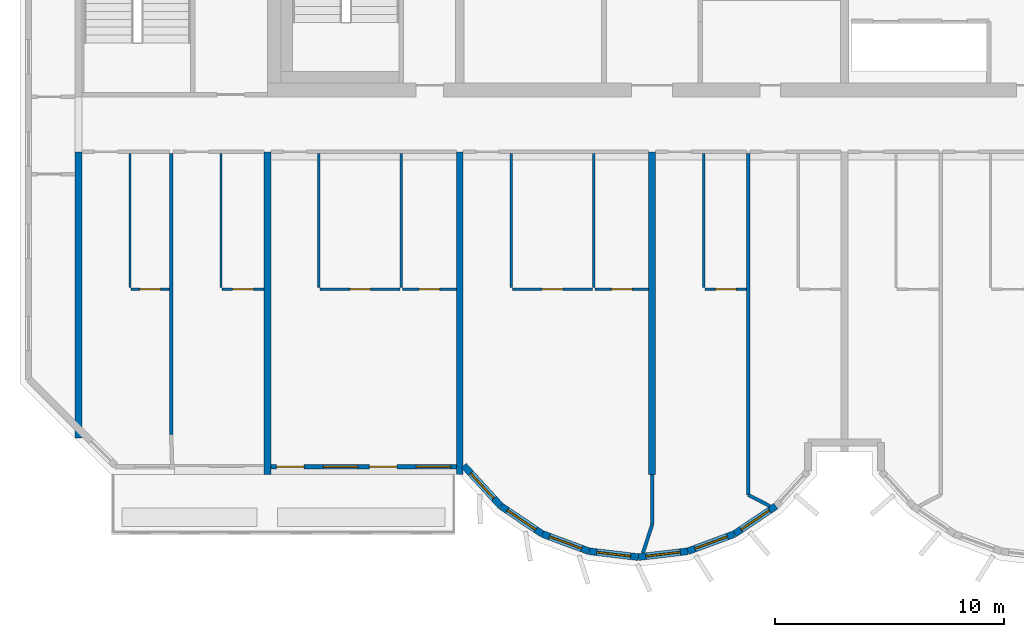
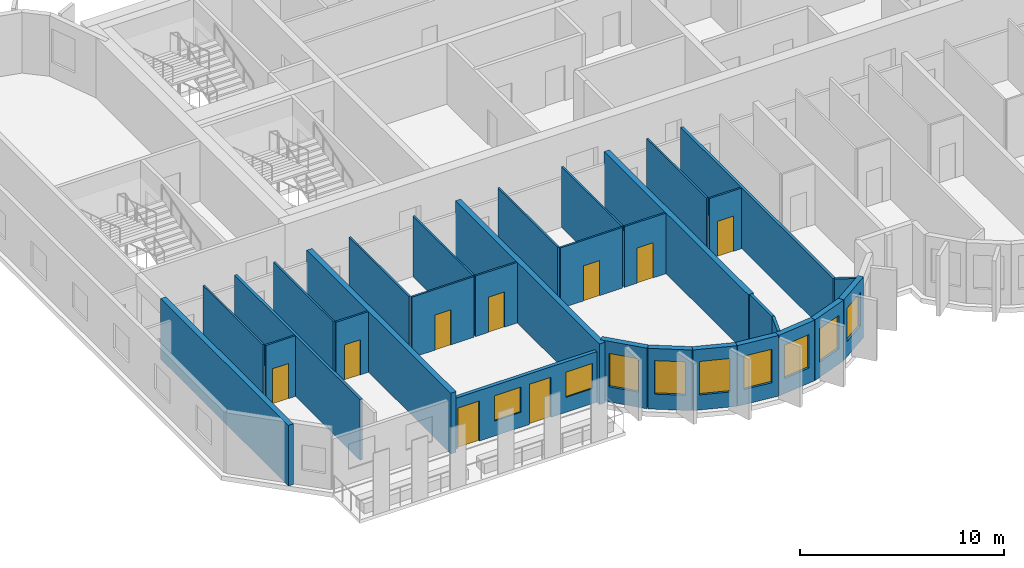
# One storey, part 2 of 11: 31 walls, 9 doors, 9 windows, 18 openings.
"""IFC4 building model written with IfcOpenShell, lengths in metres."""

from ifc_helpers import new_model, si_unit, direction, frame, frame_2d, origin, place, context, subcontext, project, spatial, rectangle, extrude, source, transform, mapped, material, layer, layer_set, type_object, element, fill, save


model = new_model("IFC4")

# Units and contexts
model_context = context("Model", 3, precision=1e-05, world=origin(), true_north=direction((0.0, 1.0)))
body_context = subcontext(model_context, "Body", "Model", "MODEL_VIEW")
ifc_project = project(units=[si_unit("LENGTHUNIT", "METRE"), si_unit("AREAUNIT", "SQUARE_METRE"), si_unit("VOLUMEUNIT", "CUBIC_METRE"), si_unit("PLANEANGLEUNIT", "RADIAN"), si_unit("MASSUNIT", "GRAM", prefix="KILO")], contexts=[model_context])

# Site, building, storey
site_placement = place(None, origin())
site = spatial("IfcSite", under=ifc_project, at=site_placement, CompositionType="ELEMENT")
building_placement = place(site_placement, origin())
building = spatial("IfcBuilding", under=site, at=building_placement, Name="Vanashikhar Sky Hotel", CompositionType="ELEMENT")
storey_placement = place(building_placement, frame((0.0, 0.0, 256.89990234375)))
storey = spatial("IfcBuildingStorey", under=building, at=storey_placement, Name="L62", CompositionType="ELEMENT", Elevation=256.89990234375)

# Walls
ifc_material_1 = material(Name="Concrete M60", Category="concrete")
ifc_layer_1 = layer(ifc_material_1, 0.300048828125)
ifc_layer_set_1 = layer_set([ifc_layer_1], Name="RC shear wall 300 Concrete M60")
wall_type_1 = type_object("IfcWallType", Name="RC shear wall 300 Concrete M60", PredefinedType="SHEAR", material=ifc_layer_set_1)
shared_shape_1 = source(origin(), body_context, "Body", "SweptSolid", [
    extrude(rectangle(XDim=12.5, YDim=0.300048828125, at=frame_2d((6.25, 0.0))), origin(), (0.0, 0.0, 1.0), 3.6201171875),
])
wall_1_placement = place(storey_placement, frame((16.949951171875, 7.10009765625, 0.0), z_axis=(0.0, 0.0, 1.0), x_axis=(0.0, 1.0, 0.0)))
element("IfcWall", 1, at=wall_1_placement, inside=storey, type_object=wall_type_1, Name="CW-L62-XW03-1", PredefinedType="SHEAR", context=body_context, shape_type="MappedRepresentation", body=[
    mapped(shared_shape_1, transform((0.0, 0.0, 0.0), scale=1.0)),
])
shared_shape_2 = source(origin(), body_context, "Body", "SweptSolid", [
    extrude(rectangle(XDim=14.10009765625, YDim=0.300048828125, at=frame_2d((7.050048828125, 0.0))), origin(), (0.0, 0.0, 1.0), 3.6201171875),
])
for number, where, z_axis, x_axis, name in (
    (2, (25.199951171875, 5.5, 0.0), (0.0, 0.0, 1.0), (0.0, 1.0, 0.0), "CW-L62-XW04-1"),
    (3, (33.60009765625, 5.5, 0.0), (0.0, 0.0, 1.0), (0.0, 1.0, 0.0), "CW-L62-XW05-1"),
    (4, (42.0, 5.5, 0.0), (0.0, 0.0, 1.0), (0.0, 1.0, 0.0), "CW-L62-XW06-1"),
):
    element("IfcWall", number, at=place(storey_placement, frame(where, z_axis=z_axis, x_axis=x_axis)), inside=storey, type_object=wall_type_1, Name=name, PredefinedType="SHEAR", context=body_context, shape_type="MappedRepresentation", body=[
        mapped(shared_shape_2, transform((0.0, 0.0, 0.0), scale=1.0)),
    ])

# Wall, openings, windows, doors
ifc_material_2 = material(Name="Concrete M50", Category="concrete")
ifc_layer_2 = layer(ifc_material_2, 0.199951171875)
ifc_layer_set_2 = layer_set([ifc_layer_2], Name="Front window wall 200")
wall_type_2 = type_object("IfcWallType", Name="Front window wall 200", PredefinedType="SOLIDWALL", material=ifc_layer_set_2)
shared_shape_3 = source(origin(), body_context, "Body", "SweptSolid", [
    extrude(rectangle(XDim=8.099853515625, YDim=0.199951171875, at=frame_2d((4.0498046875, 0.0))), origin(), (0.0, 0.0, 1.0), 3.02001953125),
])
wall_2_placement = place(storey_placement, frame((25.35009765625, 5.85009765625, 0.0), z_axis=(0.0, 0.0, 1.0), x_axis=(1.0, 0.0, 0.0)))
wall_2 = element("IfcWall", 5, at=wall_2_placement, inside=storey, type_object=wall_type_2, Name="Front window wall", PredefinedType="SOLIDWALL", context=body_context, shape_type="MappedRepresentation", body=[
    mapped(shared_shape_3, transform((0.0, 0.0, 0.0), scale=1.0)),
])
shared_shape_4 = source(origin(), body_context, "Body", "SweptSolid", [
    extrude(rectangle(XDim=1.199951171875, YDim=2.39990234375, at=frame_2d((0.60009765625, 1.199951171875))), frame((0.0, 0.10986328125, 0.0), z_axis=(0.0, -1.0, 0.0), x_axis=(1.0, 0.0, 0.0)), (0.0, 0.0, 1.0), 0.219970703125),
])
opening_1_placement = place(wall_2_placement, frame((0.25, 0.0, 0.0)))
opening_1 = element("IfcOpeningElement", 6, at=opening_1_placement, cuts=wall_2, Name="Opening BD-01", PredefinedType="OPENING", context=body_context, shape_type="MappedRepresentation", body=[
    mapped(shared_shape_4, transform((0.0, 0.0, 0.0), scale=1.0)),
])
shared_shape_5 = source(origin(), body_context, "Body", "SweptSolid", [
    extrude(rectangle(XDim=1.5, YDim=1.5, at=frame_2d((0.75, 0.75))), frame((0.0, 0.10986328125, 0.0), z_axis=(0.0, -1.0, 0.0), x_axis=(1.0, 0.0, 0.0)), (0.0, 0.0, 1.0), 0.219970703125),
])
opening_2_placement = place(wall_2_placement, frame((2.300048828125, 0.0, 0.89990234375)))
opening_2 = element("IfcOpeningElement", 7, at=opening_2_placement, cuts=wall_2, Name="Opening WN-1", PredefinedType="OPENING", context=body_context, shape_type="MappedRepresentation", body=[
    mapped(shared_shape_5, transform((0.0, 0.0, 0.0), scale=1.0)),
])
opening_3_placement = place(wall_2_placement, frame((4.300048828125, 0.0, 0.0)))
opening_3 = element("IfcOpeningElement", 8, at=opening_3_placement, cuts=wall_2, Name="Opening BD-02", PredefinedType="OPENING", context=body_context, shape_type="MappedRepresentation", body=[
    mapped(shared_shape_4, transform((0.0, 0.0, 0.0), scale=1.0)),
])
opening_4_placement = place(wall_2_placement, frame((6.35009765625, 0.0, 0.89990234375)))
opening_4 = element("IfcOpeningElement", 9, at=opening_4_placement, cuts=wall_2, Name="Opening WN-1", PredefinedType="OPENING", context=body_context, shape_type="MappedRepresentation", body=[
    mapped(shared_shape_5, transform((0.0, 0.0, 0.0), scale=1.0)),
])
ifc_material_3 = material(Name="Glass", Category="glass")
window_type_1 = type_object("IfcWindowType", Name="Window 1500 x 1500", PartitioningType="SINGLE_PANEL", PredefinedType="WINDOW", material=ifc_material_3)
shared_shape_6 = source(origin(), body_context, "Body", "SweptSolid", [
    extrude(rectangle(XDim=1.5, YDim=1.5, at=frame_2d((0.75, 0.75))), frame((0.0, 0.030029296875, 0.0), z_axis=(0.0, -1.0, 0.0), x_axis=(1.0, 0.0, 0.0)), (0.0, 0.0, 1.0), 0.06005859375),
])
window_1_placement = place(opening_2_placement, origin())
window_1 = element("IfcWindow", 10, at=window_1_placement, inside=storey, type_object=window_type_1, Name="Window WN-1", OverallHeight=1.5, OverallWidth=1.5, PartitioningType="SINGLE_PANEL", PredefinedType="WINDOW", context=body_context, shape_type="MappedRepresentation", body=[
    mapped(shared_shape_6, transform((0.0, 0.0, 0.0), scale=1.0)),
])
fill(opening_2, window_1)
window_2_placement = place(opening_4_placement, origin())
window_2 = element("IfcWindow", 11, at=window_2_placement, inside=storey, type_object=window_type_1, Name="Window WN-1", OverallHeight=1.5, OverallWidth=1.5, PartitioningType="SINGLE_PANEL", PredefinedType="WINDOW", context=body_context, shape_type="MappedRepresentation", body=[
    mapped(shared_shape_6, transform((0.0, 0.0, 0.0), scale=1.0)),
])
fill(opening_4, window_2)
ifc_material_4 = material(Name="Aluminium", Category="aluminium")
door_type_1 = type_object("IfcDoorType", Name="Balcony sliding door 1200 x 2400", OperationType="NOTDEFINED", PredefinedType="DOOR", material=ifc_material_4)
shared_shape_7 = source(origin(), body_context, "Body", "SweptSolid", [
    extrude(rectangle(XDim=1.199951171875, YDim=2.39990234375, at=frame_2d((0.60009765625, 1.199951171875))), frame((0.0, 0.02490234375, 0.0), z_axis=(0.0, -1.0, 0.0), x_axis=(1.0, 0.0, 0.0)), (0.0, 0.0, 1.0), 0.050048828125),
])
door_1_placement = place(opening_1_placement, origin())
door_1 = element("IfcDoor", 12, at=door_1_placement, inside=storey, type_object=door_type_1, Name="Balcony sliding door", OperationType="SLIDING_TO_LEFT", OverallHeight=2.39990234375, OverallWidth=1.199951171875, PredefinedType="DOOR", context=body_context, shape_type="MappedRepresentation", body=[
    mapped(shared_shape_7, transform((0.0, 0.0, 0.0), scale=1.0)),
])
fill(opening_1, door_1)
door_2_placement = place(opening_3_placement, origin())
door_2 = element("IfcDoor", 13, at=door_2_placement, inside=storey, type_object=door_type_1, Name="Balcony sliding door", OperationType="SLIDING_TO_RIGHT", OverallHeight=2.39990234375, OverallWidth=1.199951171875, PredefinedType="DOOR", context=body_context, shape_type="MappedRepresentation", body=[
    mapped(shared_shape_7, transform((0.0, 0.0, 0.0), scale=1.0)),
])
fill(opening_3, door_2)

# Wall, opening, window
ifc_layer_3 = layer(ifc_material_2, 0.300048828125)
ifc_layer_set_3 = layer_set([ifc_layer_3], Name="Lobe wall 300")
wall_type_3 = type_object("IfcWallType", Name="Lobe wall 300", PredefinedType="SOLIDWALL", material=ifc_layer_set_3)
shared_shape_8 = source(origin(), body_context, "Body", "SweptSolid", [
    extrude(rectangle(XDim=2.398193359375, YDim=0.300048828125, at=frame_2d((1.19921875, 0.0))), origin(), (0.0, 0.0, 1.0), 3.6201171875),
])
wall_3_placement = place(storey_placement, frame((33.776123046875, 5.89990234375, 0.0), z_axis=(0.0, 0.0, 1.0), x_axis=(0.675374189419, -0.737475222815, 0.0)))
wall_3 = element("IfcWall", 14, at=wall_3_placement, inside=storey, type_object=wall_type_3, Name="Lobe wall", PredefinedType="SOLIDWALL", context=body_context, shape_type="MappedRepresentation", body=[
    mapped(shared_shape_8, transform((0.0, 0.0, 0.0), scale=1.0)),
])
shared_shape_9 = source(origin(), body_context, "Body", "SweptSolid", [
    extrude(rectangle(XDim=1.5, YDim=2.0, at=frame_2d((0.75, 1.0))), frame((0.0, 0.16015625, 0.0), z_axis=(0.0, -1.0, 0.0), x_axis=(1.0, 0.0, 0.0)), (0.0, 0.0, 1.0), 0.320068359375),
])
opening_5_placement = place(wall_3_placement, frame((0.44921875, 0.0, 0.89990234375)))
opening_5 = element("IfcOpeningElement", 15, at=opening_5_placement, cuts=wall_3, Name="Opening WN-2", PredefinedType="OPENING", context=body_context, shape_type="MappedRepresentation", body=[
    mapped(shared_shape_9, transform((0.0, 0.0, 0.0), scale=1.0)),
])
window_type_2 = type_object("IfcWindowType", Name="Lobe window 1500 x 2000", PartitioningType="SINGLE_PANEL", PredefinedType="WINDOW", material=ifc_material_3)
shared_shape_10 = source(origin(), body_context, "Body", "SweptSolid", [
    extrude(rectangle(XDim=1.5, YDim=2.0, at=frame_2d((0.75, 1.0))), frame((0.0, 0.030029296875, 0.0), z_axis=(0.0, -1.0, 0.0), x_axis=(1.0, 0.0, 0.0)), (0.0, 0.0, 1.0), 0.06005859375),
])
window_3_placement = place(opening_5_placement, origin())
window_3 = element("IfcWindow", 16, at=window_3_placement, inside=storey, type_object=window_type_2, Name="Window WN-2", OverallHeight=2.0, OverallWidth=1.5, PartitioningType="SINGLE_PANEL", PredefinedType="WINDOW", context=body_context, shape_type="MappedRepresentation", body=[
    mapped(shared_shape_10, transform((0.0, 0.0, 0.0), scale=1.0)),
])
fill(opening_5, window_3)

shared_shape_11 = source(origin(), body_context, "Body", "SweptSolid", [
    extrude(rectangle(XDim=2.17578125, YDim=0.300048828125, at=frame_2d((1.087890625, 0.0))), origin(), (0.0, 0.0, 1.0), 3.6201171875),
])
wall_4_placement = place(storey_placement, frame((35.395751953125, 4.13134765625, 0.0), z_axis=(0.0, 0.0, 1.0), x_axis=(0.829590746428, -0.558371913192, 0.0)))
wall_4 = element("IfcWall", 17, at=wall_4_placement, inside=storey, type_object=wall_type_3, Name="Lobe wall", PredefinedType="SOLIDWALL", context=body_context, shape_type="MappedRepresentation", body=[
    mapped(shared_shape_11, transform((0.0, 0.0, 0.0), scale=1.0)),
])
opening_6_placement = place(wall_4_placement, frame((0.337890625, 0.0, 0.89990234375)))
opening_6 = element("IfcOpeningElement", 18, at=opening_6_placement, cuts=wall_4, Name="Opening WN-2", PredefinedType="OPENING", context=body_context, shape_type="MappedRepresentation", body=[
    mapped(shared_shape_9, transform((0.0, 0.0, 0.0), scale=1.0)),
])
window_4_placement = place(opening_6_placement, origin())
window_4 = element("IfcWindow", 19, at=window_4_placement, inside=storey, type_object=window_type_2, Name="Window WN-2", OverallHeight=2.0, OverallWidth=1.5, PartitioningType="SINGLE_PANEL", PredefinedType="WINDOW", context=body_context, shape_type="MappedRepresentation", body=[
    mapped(shared_shape_10, transform((0.0, 0.0, 0.0), scale=1.0)),
])
fill(opening_6, window_4)

wall_5_placement = place(storey_placement, frame((37.20068359375, 2.91650390625, 0.0), z_axis=(0.0, 0.0, 1.0), x_axis=(0.93754555999, -0.347862505801, 0.0)))
wall_5 = element("IfcWall", 20, at=wall_5_placement, inside=storey, type_object=wall_type_3, Name="Lobe wall", PredefinedType="SOLIDWALL", context=body_context, shape_type="MappedRepresentation", body=[
    mapped(shared_shape_11, transform((0.0, 0.0, 0.0), scale=1.0)),
])
opening_7_placement = place(wall_5_placement, frame((0.337890625, 0.0, 0.89990234375)))
opening_7 = element("IfcOpeningElement", 21, at=opening_7_placement, cuts=wall_5, Name="Opening WN-2", PredefinedType="OPENING", context=body_context, shape_type="MappedRepresentation", body=[
    mapped(shared_shape_9, transform((0.0, 0.0, 0.0), scale=1.0)),
])
window_5_placement = place(opening_7_placement, origin())
window_5 = element("IfcWindow", 22, at=window_5_placement, inside=storey, type_object=window_type_2, Name="Window WN-2", OverallHeight=2.0, OverallWidth=1.5, PartitioningType="SINGLE_PANEL", PredefinedType="WINDOW", context=body_context, shape_type="MappedRepresentation", body=[
    mapped(shared_shape_10, transform((0.0, 0.0, 0.0), scale=1.0)),
])
fill(opening_7, window_5)

wall_6_placement = place(storey_placement, frame((45.59912109375, 2.91650390625, 0.0), z_axis=(0.0, 0.0, 1.0), x_axis=(0.829625727223, 0.558319937607, 0.0)))
wall_6 = element("IfcWall", 23, at=wall_6_placement, inside=storey, type_object=wall_type_3, Name="Lobe wall", PredefinedType="SOLIDWALL", context=body_context, shape_type="MappedRepresentation", body=[
    mapped(shared_shape_11, transform((0.0, 0.0, 0.0), scale=1.0)),
])
opening_8_placement = place(wall_6_placement, frame((0.337890625, 0.0, 0.89990234375)))
opening_8 = element("IfcOpeningElement", 24, at=opening_8_placement, cuts=wall_6, Name="Opening WN-2", PredefinedType="OPENING", context=body_context, shape_type="MappedRepresentation", body=[
    mapped(shared_shape_9, transform((0.0, 0.0, 0.0), scale=1.0)),
])
window_6_placement = place(opening_8_placement, origin())
window_6 = element("IfcWindow", 25, at=window_6_placement, inside=storey, type_object=window_type_2, Name="Window WN-2", OverallHeight=2.0, OverallWidth=1.5, PartitioningType="SINGLE_PANEL", PredefinedType="WINDOW", context=body_context, shape_type="MappedRepresentation", body=[
    mapped(shared_shape_10, transform((0.0, 0.0, 0.0), scale=1.0)),
])
fill(opening_8, window_6)

shared_shape_12 = source(origin(), body_context, "Body", "SweptSolid", [
    extrude(rectangle(XDim=2.174560546875, YDim=0.300048828125, at=frame_2d((1.08740234375, 0.0))), origin(), (0.0, 0.0, 1.0), 3.6201171875),
])
wall_7_placement = place(storey_placement, frame((39.240478515625, 2.15966796875, 0.0), z_axis=(0.0, 0.0, 1.0), x_axis=(0.993001132889, -0.118104826659, 0.0)))
wall_7 = element("IfcWall", 26, at=wall_7_placement, inside=storey, type_object=wall_type_3, Name="Lobe wall", PredefinedType="SOLIDWALL", context=body_context, shape_type="MappedRepresentation", body=[
    mapped(shared_shape_12, transform((0.0, 0.0, 0.0), scale=1.0)),
])
opening_9_placement = place(wall_7_placement, frame((0.33740234375, 0.0, 0.89990234375)))
opening_9 = element("IfcOpeningElement", 27, at=opening_9_placement, cuts=wall_7, Name="Opening WN-2", PredefinedType="OPENING", context=body_context, shape_type="MappedRepresentation", body=[
    mapped(shared_shape_9, transform((0.0, 0.0, 0.0), scale=1.0)),
])
window_7_placement = place(opening_9_placement, origin())
window_7 = element("IfcWindow", 28, at=window_7_placement, inside=storey, type_object=window_type_2, Name="Window WN-2", OverallHeight=2.0, OverallWidth=1.5, PartitioningType="SINGLE_PANEL", PredefinedType="WINDOW", context=body_context, shape_type="MappedRepresentation", body=[
    mapped(shared_shape_10, transform((0.0, 0.0, 0.0), scale=1.0)),
])
fill(opening_9, window_7)

shared_shape_13 = source(origin(), body_context, "Body", "SweptSolid", [
    extrude(rectangle(XDim=2.1748046875, YDim=0.300048828125, at=frame_2d((1.08740234375, 0.0))), origin(), (0.0, 0.0, 1.0), 3.6201171875),
])
wall_8_placement = place(storey_placement, frame((41.39990234375, 1.90283203125, 0.0), z_axis=(0.0, 0.0, 1.0), x_axis=(0.993002698611, 0.118091661648, 0.0)))
wall_8 = element("IfcWall", 29, at=wall_8_placement, inside=storey, type_object=wall_type_3, Name="Lobe wall", PredefinedType="SOLIDWALL", context=body_context, shape_type="MappedRepresentation", body=[
    mapped(shared_shape_13, transform((0.0, 0.0, 0.0), scale=1.0)),
])
opening_10_placement = place(wall_8_placement, frame((0.33740234375, 0.0, 0.89990234375)))
opening_10 = element("IfcOpeningElement", 30, at=opening_10_placement, cuts=wall_8, Name="Opening WN-2", PredefinedType="OPENING", context=body_context, shape_type="MappedRepresentation", body=[
    mapped(shared_shape_9, transform((0.0, 0.0, 0.0), scale=1.0)),
])
window_8_placement = place(opening_10_placement, origin())
window_8 = element("IfcWindow", 31, at=window_8_placement, inside=storey, type_object=window_type_2, Name="Window WN-2", OverallHeight=2.0, OverallWidth=1.5, PartitioningType="SINGLE_PANEL", PredefinedType="WINDOW", context=body_context, shape_type="MappedRepresentation", body=[
    mapped(shared_shape_10, transform((0.0, 0.0, 0.0), scale=1.0)),
])
fill(opening_10, window_8)

shared_shape_14 = source(origin(), body_context, "Body", "SweptSolid", [
    extrude(rectangle(XDim=2.175537109375, YDim=0.300048828125, at=frame_2d((1.087890625, 0.0))), origin(), (0.0, 0.0, 1.0), 3.6201171875),
])
wall_9_placement = place(storey_placement, frame((43.5595703125, 2.15966796875, 0.0), z_axis=(0.0, 0.0, 1.0), x_axis=(0.937531979054, 0.347899106424, 0.0)))
wall_9 = element("IfcWall", 32, at=wall_9_placement, inside=storey, type_object=wall_type_3, Name="Lobe wall", PredefinedType="SOLIDWALL", context=body_context, shape_type="MappedRepresentation", body=[
    mapped(shared_shape_14, transform((0.0, 0.0, 0.0), scale=1.0)),
])
opening_11_placement = place(wall_9_placement, frame((0.337890625, 0.0, 0.89990234375)))
opening_11 = element("IfcOpeningElement", 33, at=opening_11_placement, cuts=wall_9, Name="Opening WN-2", PredefinedType="OPENING", context=body_context, shape_type="MappedRepresentation", body=[
    mapped(shared_shape_9, transform((0.0, 0.0, 0.0), scale=1.0)),
])
window_9_placement = place(opening_11_placement, origin())
window_9 = element("IfcWindow", 34, at=window_9_placement, inside=storey, type_object=window_type_2, Name="Window WN-2", OverallHeight=2.0, OverallWidth=1.5, PartitioningType="SINGLE_PANEL", PredefinedType="WINDOW", context=body_context, shape_type="MappedRepresentation", body=[
    mapped(shared_shape_10, transform((0.0, 0.0, 0.0), scale=1.0)),
])
fill(opening_11, window_9)

# Wall
ifc_material_5 = material(Name="Gypsum plasterboard partition")
ifc_layer_4 = layer(ifc_material_5, 0.14990234375)
ifc_layer_set_4 = layer_set([ifc_layer_4], Name="Corridor and demising partition 150")
wall_type_4 = type_object("IfcWallType", Name="Corridor and demising partition 150", PredefinedType="PARTITIONING", material=ifc_layer_set_4)
shared_shape_15 = source(origin(), body_context, "Body", "SweptSolid", [
    extrude(rectangle(XDim=12.27490234375, YDim=0.14990234375, at=frame_2d((6.137451171875, 0.0))), origin(), (0.0, 0.0, 1.0), 3.6201171875),
])
wall_10_placement = place(storey_placement, frame((21.0, 7.25, 0.0), z_axis=(0.0, 0.0, 1.0), x_axis=(0.0, 1.0, 0.0)))
element("IfcWall", 35, at=wall_10_placement, inside=storey, type_object=wall_type_4, Name="W-L62-PW007", PredefinedType="PARTITIONING", context=body_context, shape_type="MappedRepresentation", body=[
    mapped(shared_shape_15, transform((0.0, 0.0, 0.0), scale=1.0)),
])

# Wall, opening, door
ifc_layer_5 = layer(ifc_material_5, 0.10009765625)
ifc_layer_set_5 = layer_set([ifc_layer_5], Name="Wet room partition 100")
wall_type_5 = type_object("IfcWallType", Name="Wet room partition 100", PredefinedType="PARTITIONING", material=ifc_layer_set_5)
shared_shape_16 = source(origin(), body_context, "Body", "SweptSolid", [
    extrude(rectangle(XDim=3.5, YDim=0.10009765625, at=frame_2d((1.75, 0.0))), origin(), (0.0, 0.0, 1.0), 3.6201171875),
])
wall_11_placement = place(storey_placement, frame((27.5, 13.60009765625, 0.0), z_axis=(0.0, 0.0, 1.0), x_axis=(1.0, 0.0, 0.0)))
wall_11 = element("IfcWall", 36, at=wall_11_placement, inside=storey, type_object=wall_type_5, Name="W-L62-PW010", PredefinedType="PARTITIONING", context=body_context, shape_type="MappedRepresentation", body=[
    mapped(shared_shape_16, transform((0.0, 0.0, 0.0), scale=1.0)),
])
shared_shape_17 = source(origin(), body_context, "Body", "SweptSolid", [
    extrude(rectangle(XDim=0.89990234375, YDim=2.10009765625, at=frame_2d((0.449951171875, 1.050048828125))), frame((0.0, 0.06005859375, 0.0), z_axis=(0.0, -1.0, 0.0), x_axis=(1.0, 0.0, 0.0)), (0.0, 0.0, 1.0), 0.1201171875),
])
opening_12_placement = place(wall_11_placement, frame((1.300048828125, 0.0, 0.0)))
opening_12 = element("IfcOpeningElement", 37, at=opening_12_placement, cuts=wall_11, Name="Opening D-02", PredefinedType="OPENING", context=body_context, shape_type="MappedRepresentation", body=[
    mapped(shared_shape_17, transform((0.0, 0.0, 0.0), scale=1.0)),
])
ifc_material_6 = material(Name="Timber door", Category="wood")
door_type_2 = type_object("IfcDoorType", Name="Internal door 900", OperationType="NOTDEFINED", PredefinedType="DOOR", material=ifc_material_6)
shared_shape_18 = source(origin(), body_context, "Body", "SweptSolid", [
    extrude(rectangle(XDim=0.89990234375, YDim=2.10009765625, at=frame_2d((0.449951171875, 1.050048828125))), frame((0.0, 0.02490234375, 0.0), z_axis=(0.0, -1.0, 0.0), x_axis=(1.0, 0.0, 0.0)), (0.0, 0.0, 1.0), 0.050048828125),
])
door_3_placement = place(opening_12_placement, origin())
door_3 = element("IfcDoor", 38, at=door_3_placement, inside=storey, type_object=door_type_2, Name="D-L62-005", OperationType="SINGLE_SWING_LEFT", OverallHeight=2.10009765625, OverallWidth=0.89990234375, PredefinedType="DOOR", context=body_context, shape_type="MappedRepresentation", body=[
    mapped(shared_shape_18, transform((0.0, 0.0, 0.0), scale=1.0)),
])
fill(opening_12, door_3)

wall_12_placement = place(storey_placement, frame((35.89990234375, 13.60009765625, 0.0), z_axis=(0.0, 0.0, 1.0), x_axis=(1.0, 0.0, 0.0)))
wall_12 = element("IfcWall", 39, at=wall_12_placement, inside=storey, type_object=wall_type_5, Name="W-L62-PW015", PredefinedType="PARTITIONING", context=body_context, shape_type="MappedRepresentation", body=[
    mapped(shared_shape_16, transform((0.0, 0.0, 0.0), scale=1.0)),
])
opening_13_placement = place(wall_12_placement, frame((1.300048828125, 0.0, 0.0)))
opening_13 = element("IfcOpeningElement", 40, at=opening_13_placement, cuts=wall_12, Name="Opening D-02", PredefinedType="OPENING", context=body_context, shape_type="MappedRepresentation", body=[
    mapped(shared_shape_17, transform((0.0, 0.0, 0.0), scale=1.0)),
])
door_4_placement = place(opening_13_placement, origin())
door_4 = element("IfcDoor", 41, at=door_4_placement, inside=storey, type_object=door_type_2, Name="D-L62-008", OperationType="SINGLE_SWING_LEFT", OverallHeight=2.10009765625, OverallWidth=0.89990234375, PredefinedType="DOOR", context=body_context, shape_type="MappedRepresentation", body=[
    mapped(shared_shape_18, transform((0.0, 0.0, 0.0), scale=1.0)),
])
fill(opening_13, door_4)

# Walls
shared_shape_19 = source(origin(), body_context, "Body", "SweptSolid", [
    extrude(rectangle(XDim=14.906005859375, YDim=0.14990234375, at=frame_2d((7.453125, 0.0))), origin(), (0.0, 0.0, 1.0), 3.6201171875),
])
wall_13_placement = place(storey_placement, frame((46.199951171875, 4.618896484375, 0.0), z_axis=(0.0, 0.0, 1.0), x_axis=(0.0, 1.0, 0.0)))
element("IfcWall", 42, at=wall_13_placement, inside=storey, type_object=wall_type_4, Name="W-L62-PW024", PredefinedType="PARTITIONING", context=body_context, shape_type="MappedRepresentation", body=[
    mapped(shared_shape_19, transform((0.0, 0.0, 0.0), scale=1.0)),
])
shared_shape_20 = source(origin(), body_context, "Body", "SweptSolid", [
    extrude(rectangle(XDim=2.177978515625, YDim=0.14990234375, at=frame_2d((1.0888671875, 0.0))), origin(), (0.0, 0.0, 1.0), 3.6201171875),
])
wall_14_placement = place(storey_placement, frame((42.0, 3.322021484375, 0.0), z_axis=(0.0, 0.0, 1.0), x_axis=(0.0, 1.0, 0.0)))
element("IfcWall", 43, at=wall_14_placement, inside=storey, type_object=wall_type_4, Name="W-L62-PW047", PredefinedType="PARTITIONING", context=body_context, shape_type="MappedRepresentation", body=[
    mapped(shared_shape_20, transform((0.0, 0.0, 0.0), scale=1.0)),
])
shared_shape_21 = source(origin(), body_context, "Body", "SweptSolid", [
    extrude(rectangle(XDim=1.308349609375, YDim=0.14990234375, at=frame_2d((0.654296875, 0.0))), origin(), (0.0, 0.0, 1.0), 3.6201171875),
])
wall_15_placement = place(storey_placement, frame((41.597900390625, 2.076904296875, 0.0), z_axis=(0.0, 0.0, 1.0), x_axis=(0.307313512187, 0.951608325535, 0.0)))
element("IfcWall", 44, at=wall_15_placement, inside=storey, type_object=wall_type_4, Name="W-L62-PW047B0", PredefinedType="PARTITIONING", context=body_context, shape_type="MappedRepresentation", body=[
    mapped(shared_shape_21, transform((0.0, 0.0, 0.0), scale=1.0)),
])
shared_shape_22 = source(origin(), body_context, "Body", "SweptSolid", [
    extrude(rectangle(XDim=1.0576171875, YDim=0.14990234375, at=frame_2d((0.52880859375, 0.0))), origin(), (0.0, 0.0, 1.0), 3.6201171875),
])
wall_16_placement = place(storey_placement, frame((47.139892578125, 4.134033203125, 0.0), z_axis=(0.0, 0.0, 1.0), x_axis=(-0.888723819054, 0.458442988218, 0.0)))
element("IfcWall", 45, at=wall_16_placement, inside=storey, type_object=wall_type_4, Name="W-L62-PW024B0", PredefinedType="PARTITIONING", context=body_context, shape_type="MappedRepresentation", body=[
    mapped(shared_shape_22, transform((0.0, 0.0, 0.0), scale=1.0)),
])
shared_shape_23 = source(origin(), body_context, "Body", "SweptSolid", [
    extrude(rectangle(XDim=5.849853515625, YDim=0.10009765625, at=frame_2d((2.9248046875, 0.0))), origin(), (0.0, 0.0, 1.0), 3.6201171875),
])
for number, where, z_axis, x_axis, name in (
    (46, (19.199951171875, 13.675048828125, 0.0), (0.0, 0.0, 1.0), (0.0, 1.0, 0.0), "W-L62-PW001"),
    (47, (23.175048828125, 13.675048828125, 0.0), (0.0, 0.0, 1.0), (0.0, 1.0, 0.0), "W-L62-PW004"),
    (48, (27.449951171875, 13.675048828125, 0.0), (0.0, 0.0, 1.0), (0.0, 1.0, 0.0), "W-L62-PW008"),
    (49, (31.050048828125, 13.675048828125, 0.0), (0.0, 0.0, 1.0), (0.0, 1.0, 0.0), "W-L62-PW009"),
    (50, (35.85009765625, 13.675048828125, 0.0), (0.0, 0.0, 1.0), (0.0, 1.0, 0.0), "W-L62-PW013"),
    (51, (39.449951171875, 13.675048828125, 0.0), (0.0, 0.0, 1.0), (0.0, 1.0, 0.0), "W-L62-PW014"),
    (52, (44.25, 13.675048828125, 0.0), (0.0, 0.0, 1.0), (0.0, 1.0, 0.0), "W-L62-PW018"),
):
    element("IfcWall", number, at=place(storey_placement, frame(where, z_axis=z_axis, x_axis=x_axis)), inside=storey, type_object=wall_type_5, Name=name, PredefinedType="PARTITIONING", context=body_context, shape_type="MappedRepresentation", body=[
        mapped(shared_shape_23, transform((0.0, 0.0, 0.0), scale=1.0)),
    ])

# Wall, opening, door
shared_shape_24 = source(origin(), body_context, "Body", "SweptSolid", [
    extrude(rectangle(XDim=1.675048828125, YDim=0.10009765625, at=frame_2d((0.83740234375, 0.0))), origin(), (0.0, 0.0, 1.0), 3.6201171875),
])
wall_17_placement = place(storey_placement, frame((19.25, 13.60009765625, 0.0), z_axis=(0.0, 0.0, 1.0), x_axis=(1.0, 0.0, 0.0)))
wall_17 = element("IfcWall", 53, at=wall_17_placement, inside=storey, type_object=wall_type_5, Name="W-L62-PW002", PredefinedType="PARTITIONING", context=body_context, shape_type="MappedRepresentation", body=[
    mapped(shared_shape_24, transform((0.0, 0.0, 0.0), scale=1.0)),
])
opening_14_placement = place(wall_17_placement, frame((0.387939453125, 0.0, 0.0)))
opening_14 = element("IfcOpeningElement", 54, at=opening_14_placement, cuts=wall_17, Name="Opening D-02", PredefinedType="OPENING", context=body_context, shape_type="MappedRepresentation", body=[
    mapped(shared_shape_17, transform((0.0, 0.0, 0.0), scale=1.0)),
])
door_5_placement = place(opening_14_placement, origin())
door_5 = element("IfcDoor", 55, at=door_5_placement, inside=storey, type_object=door_type_2, Name="D-L62-001", OperationType="SINGLE_SWING_LEFT", OverallHeight=2.10009765625, OverallWidth=0.89990234375, PredefinedType="DOOR", context=body_context, shape_type="MappedRepresentation", body=[
    mapped(shared_shape_18, transform((0.0, 0.0, 0.0), scale=1.0)),
])
fill(opening_14, door_5)

shared_shape_25 = source(origin(), body_context, "Body", "SweptSolid", [
    extrude(rectangle(XDim=1.824951171875, YDim=0.10009765625, at=frame_2d((0.91259765625, 0.0))), origin(), (0.0, 0.0, 1.0), 3.6201171875),
])
wall_18_placement = place(storey_placement, frame((23.22509765625, 13.60009765625, 0.0), z_axis=(0.0, 0.0, 1.0), x_axis=(1.0, 0.0, 0.0)))
wall_18 = element("IfcWall", 56, at=wall_18_placement, inside=storey, type_object=wall_type_5, Name="W-L62-PW005", PredefinedType="PARTITIONING", context=body_context, shape_type="MappedRepresentation", body=[
    mapped(shared_shape_25, transform((0.0, 0.0, 0.0), scale=1.0)),
])
opening_15_placement = place(wall_18_placement, frame((0.462890625, 0.0, 0.0)))
opening_15 = element("IfcOpeningElement", 57, at=opening_15_placement, cuts=wall_18, Name="Opening D-02", PredefinedType="OPENING", context=body_context, shape_type="MappedRepresentation", body=[
    mapped(shared_shape_17, transform((0.0, 0.0, 0.0), scale=1.0)),
])
door_6_placement = place(opening_15_placement, origin())
door_6 = element("IfcDoor", 58, at=door_6_placement, inside=storey, type_object=door_type_2, Name="D-L62-003", OperationType="SINGLE_SWING_LEFT", OverallHeight=2.10009765625, OverallWidth=0.89990234375, PredefinedType="DOOR", context=body_context, shape_type="MappedRepresentation", body=[
    mapped(shared_shape_18, transform((0.0, 0.0, 0.0), scale=1.0)),
])
fill(opening_15, door_6)

wall_19_placement = place(storey_placement, frame((44.300048828125, 13.60009765625, 0.0), z_axis=(0.0, 0.0, 1.0), x_axis=(1.0, 0.0, 0.0)))
wall_19 = element("IfcWall", 59, at=wall_19_placement, inside=storey, type_object=wall_type_5, Name="W-L62-PW019", PredefinedType="PARTITIONING", context=body_context, shape_type="MappedRepresentation", body=[
    mapped(shared_shape_25, transform((0.0, 0.0, 0.0), scale=1.0)),
])
opening_16_placement = place(wall_19_placement, frame((0.4619140625, 0.0, 0.0)))
opening_16 = element("IfcOpeningElement", 60, at=opening_16_placement, cuts=wall_19, Name="Opening D-02", PredefinedType="OPENING", context=body_context, shape_type="MappedRepresentation", body=[
    mapped(shared_shape_17, transform((0.0, 0.0, 0.0), scale=1.0)),
])
door_7_placement = place(opening_16_placement, origin())
door_7 = element("IfcDoor", 61, at=door_7_placement, inside=storey, type_object=door_type_2, Name="D-L62-011", OperationType="SINGLE_SWING_LEFT", OverallHeight=2.10009765625, OverallWidth=0.89990234375, PredefinedType="DOOR", context=body_context, shape_type="MappedRepresentation", body=[
    mapped(shared_shape_18, transform((0.0, 0.0, 0.0), scale=1.0)),
])
fill(opening_16, door_7)

shared_shape_26 = source(origin(), body_context, "Body", "SweptSolid", [
    extrude(rectangle(XDim=2.349853515625, YDim=0.10009765625, at=frame_2d((1.1748046875, 0.0))), origin(), (0.0, 0.0, 1.0), 3.6201171875),
])
wall_20_placement = place(storey_placement, frame((31.10009765625, 13.60009765625, 0.0), z_axis=(0.0, 0.0, 1.0), x_axis=(1.0, 0.0, 0.0)))
wall_20 = element("IfcWall", 62, at=wall_20_placement, inside=storey, type_object=wall_type_5, Name="W-L62-PW011", PredefinedType="PARTITIONING", context=body_context, shape_type="MappedRepresentation", body=[
    mapped(shared_shape_26, transform((0.0, 0.0, 0.0), scale=1.0)),
])
opening_17_placement = place(wall_20_placement, frame((0.72509765625, 0.0, 0.0)))
opening_17 = element("IfcOpeningElement", 63, at=opening_17_placement, cuts=wall_20, Name="Opening D-02", PredefinedType="OPENING", context=body_context, shape_type="MappedRepresentation", body=[
    mapped(shared_shape_17, transform((0.0, 0.0, 0.0), scale=1.0)),
])
door_8_placement = place(opening_17_placement, origin())
door_8 = element("IfcDoor", 64, at=door_8_placement, inside=storey, type_object=door_type_2, Name="D-L62-006", OperationType="SINGLE_SWING_LEFT", OverallHeight=2.10009765625, OverallWidth=0.89990234375, PredefinedType="DOOR", context=body_context, shape_type="MappedRepresentation", body=[
    mapped(shared_shape_18, transform((0.0, 0.0, 0.0), scale=1.0)),
])
fill(opening_17, door_8)

shared_shape_27 = source(origin(), body_context, "Body", "SweptSolid", [
    extrude(rectangle(XDim=2.35009765625, YDim=0.10009765625, at=frame_2d((1.175048828125, 0.0))), origin(), (0.0, 0.0, 1.0), 3.6201171875),
])
wall_21_placement = place(storey_placement, frame((39.5, 13.60009765625, 0.0), z_axis=(0.0, 0.0, 1.0), x_axis=(1.0, 0.0, 0.0)))
wall_21 = element("IfcWall", 65, at=wall_21_placement, inside=storey, type_object=wall_type_5, Name="W-L62-PW016", PredefinedType="PARTITIONING", context=body_context, shape_type="MappedRepresentation", body=[
    mapped(shared_shape_27, transform((0.0, 0.0, 0.0), scale=1.0)),
])
opening_18_placement = place(wall_21_placement, frame((0.72509765625, 0.0, 0.0)))
opening_18 = element("IfcOpeningElement", 66, at=opening_18_placement, cuts=wall_21, Name="Opening D-02", PredefinedType="OPENING", context=body_context, shape_type="MappedRepresentation", body=[
    mapped(shared_shape_17, transform((0.0, 0.0, 0.0), scale=1.0)),
])
door_9_placement = place(opening_18_placement, origin())
door_9 = element("IfcDoor", 67, at=door_9_placement, inside=storey, type_object=door_type_2, Name="D-L62-009", OperationType="SINGLE_SWING_LEFT", OverallHeight=2.10009765625, OverallWidth=0.89990234375, PredefinedType="DOOR", context=body_context, shape_type="MappedRepresentation", body=[
    mapped(shared_shape_18, transform((0.0, 0.0, 0.0), scale=1.0)),
])
fill(opening_18, door_9)

save(model, "model.ifc")
